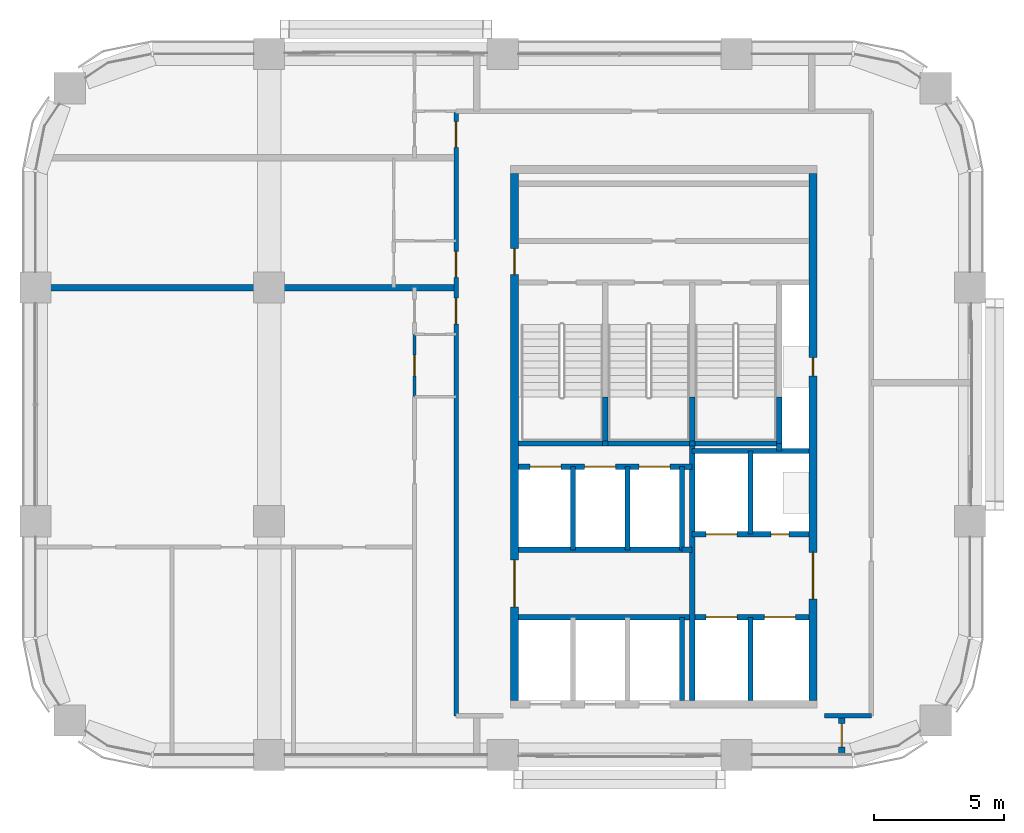
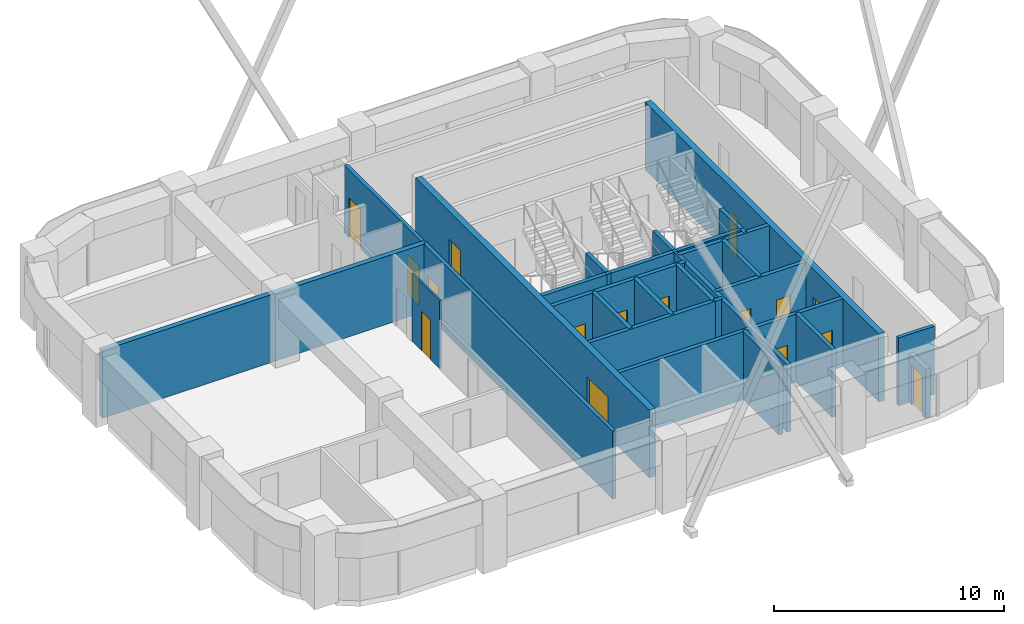
# One storey, part 7 of 10: 29 walls, 16 doors, 16 openings.
"""IFC4 building model written with IfcOpenShell, lengths in metres."""

import ifcopenshell
import ifcopenshell.guid

model = None  # the IFC model being written
_history = None  # IfcOwnerHistory: only IFC2X3 demands one
_inside = {}  # id of a spatial element -> (the spatial element, [elements in it])
_under = {}  # id of a project, library or spatial element -> (it, [spatial elements below it])
_declared = {}  # id of a project -> (the project, [libraries it declares])
_typed = {}  # id of a type object -> (the type object, [elements of that type])
_made_of = {}  # id of a material, layer set ... -> (it, [elements and type objects made of it])


def new_model(schema):
    """Start an empty IFC model of exactly this schema.

    Asked for "IFC4X3", IfcOpenShell would pick the latest addendum, in which some entities
    have other attributes; the version numbers below select the first issue.
    IFC2X3 requires an IfcOwnerHistory on every rooted entity: one is made here for all.
    """
    global model, _history
    if schema == "IFC4X3":
        model = ifcopenshell.file(schema_version=(4, 3, 0, 0))
    else:
        model = ifcopenshell.file(schema=schema)
    _inside.clear()
    _under.clear()
    _declared.clear()
    _typed.clear()
    _made_of.clear()
    _history = None
    if model.schema == "IFC2X3":
        org = make("IfcOrganization", Name="unknown")
        user = make(
            "IfcPersonAndOrganization",
            ThePerson=make("IfcPerson", FamilyName="unknown"),
            TheOrganization=org,
        )
        app = make(
            "IfcApplication",
            ApplicationDeveloper=org,
            Version="unknown",
            ApplicationFullName="unknown",
            ApplicationIdentifier="unknown",
        )
        _history = make(
            "IfcOwnerHistory",
            OwningUser=user,
            OwningApplication=app,
            ChangeAction="ADDED",
            CreationDate=0,
        )
    return model


def make(cls, **values):
    """One entity of the class cls with the attributes given. An attribute that is None is left unset."""
    return model.create_entity(
        cls, **{name: value for name, value in values.items() if value is not None}
    )


def rooted(cls, **values):
    """An entity with a GlobalId (a new one), such as an element, a storey or a relation."""
    return make(cls, GlobalId=ifcopenshell.guid.new(), OwnerHistory=_history, **values)


def si_unit(unit_type, name, prefix=None):
    """IfcSIUnit, for example si_unit("LENGTHUNIT", "METRE", prefix="MILLI")."""
    return make("IfcSIUnit", UnitType=unit_type, Prefix=prefix, Name=name)


def assignment(units):
    """IfcUnitAssignment: the units of a project."""
    return None if units is None else make("IfcUnitAssignment", Units=units)


def point(xyz):
    """IfcCartesianPoint."""
    return None if xyz is None else make("IfcCartesianPoint", Coordinates=xyz)


def direction(xyz):
    """IfcDirection."""
    return None if xyz is None else make("IfcDirection", DirectionRatios=xyz)


def frame(location, z_axis=None, x_axis=None):
    """IfcAxis2Placement3D, a coordinate frame: its origin and axes. An axis left out is left unset."""
    return make(
        "IfcAxis2Placement3D",
        Location=point(location),
        Axis=direction(z_axis),
        RefDirection=direction(x_axis),
    )


def frame_2d(location, x_axis=None):
    """IfcAxis2Placement2D, a coordinate frame in the plane: its origin and x axis."""
    return make(
        "IfcAxis2Placement2D", Location=point(location), RefDirection=direction(x_axis)
    )


def origin():
    """The frame at (0, 0, 0) with its axes left unset."""
    return frame((0.0, 0.0, 0.0))


def place(relative_to, where):
    """IfcLocalPlacement: puts the frame where relative to a parent placement (None: the world)."""
    return make(
        "IfcLocalPlacement", PlacementRelTo=relative_to, RelativePlacement=where
    )


def context(
    kind, dimensions, precision=None, world=None, true_north=None, identifier=None
):
    """IfcGeometricRepresentationContext, for example the 3D "Model" context."""
    return make(
        "IfcGeometricRepresentationContext",
        ContextIdentifier=identifier,
        ContextType=kind,
        CoordinateSpaceDimension=dimensions,
        Precision=precision,
        WorldCoordinateSystem=world,
        TrueNorth=true_north,
    )


def subcontext(parent, identifier, kind, view, scale=None):
    """IfcGeometricRepresentationSubContext, for example "Body" below "Model"."""
    return make(
        "IfcGeometricRepresentationSubContext",
        ContextIdentifier=identifier,
        ContextType=kind,
        ParentContext=parent,
        TargetScale=scale,
        TargetView=view,
    )


def project(units=None, contexts=None):
    """IfcProject with its units and contexts."""
    return rooted(
        "IfcProject",
        Name="project",
        RepresentationContexts=contexts,
        UnitsInContext=assignment(units),
    )


def spatial(cls, under=None, at=None, **own):
    """A site, building, storey or space (cls), placed at a placement, below another one or the project."""
    s = rooted(cls, ObjectPlacement=at, **own)
    if under is not None:
        _under.setdefault(under.id(), (under, []))[1].append(s)
    return s


def profile(cls, at=None, kind="AREA", **sizes):
    """A parametric profile (cls). Its sizes go by their IFC names, for example OverallWidth=200.0."""
    return make(cls, ProfileType=kind, Position=at, **sizes)


def rectangle(**sizes):
    """IfcRectangleProfileDef."""
    return profile("IfcRectangleProfileDef", **sizes)


def extrude(swept, where, along, depth):
    """IfcExtrudedAreaSolid: the profile swept, set in the frame where, extruded along a direction by depth."""
    return make(
        "IfcExtrudedAreaSolid",
        SweptArea=swept,
        Position=where,
        ExtrudedDirection=direction(along),
        Depth=depth,
    )


def shape(context_of_items, identifier, shape_type, items):
    """IfcShapeRepresentation: the items that make up one representation, for example the "Body"."""
    return make(
        "IfcShapeRepresentation",
        ContextOfItems=context_of_items,
        RepresentationIdentifier=identifier,
        RepresentationType=shape_type,
        Items=items,
    )


def material(Name=None, Category=None):
    """IfcMaterial."""
    return make("IfcMaterial", Name=Name, Category=Category)


def layer(
    of_material, thickness, ventilated=None, Name=None, Category=None, Priority=None
):
    """IfcMaterialLayer: one layer of a wall or slab, of a material (None: an air gap)."""
    return make(
        "IfcMaterialLayer",
        Material=of_material,
        LayerThickness=thickness,
        IsVentilated=ventilated,
        Name=Name,
        Category=Category,
        Priority=Priority,
    )


def layer_set(layers, Name=None):
    """IfcMaterialLayerSet."""
    return make("IfcMaterialLayerSet", MaterialLayers=layers, LayerSetName=Name)


def made_of(thing, what):
    """Note that an element or type object is made of a material, layer set ...; save() writes the relation."""
    if what is not None:
        _made_of.setdefault(what.id(), (what, []))[1].append(thing)
    return thing


def type_object(cls, material=None, **own):
    """A type object (cls), such as IfcWallType, which elements share."""
    return made_of(rooted(cls, **own), material)


def element(
    cls,
    number,
    at=None,
    inside=None,
    cuts=None,
    type_object=None,
    material=None,
    context=None,
    identifier="Body",
    shape_type=None,
    held_by="IfcProductDefinitionShape",
    body=None,
    shapes=None,
    **own,
):
    """One element of the class cls, such as IfcWall. Its Tag is "e" and its number.

    at: its placement. inside: the storey or other place that contains it. cuts: it is an
    opening in that element (IfcRelVoidsElement). A single representation is given by context,
    identifier, shape_type and body (its items); several are given by shapes. held_by: the class
    of the entity that holds the representations. save() writes the other relations.
    """
    e = rooted(cls, Tag="e%d" % number, ObjectPlacement=at, **own)
    if body is not None:
        shapes = [shape(context, identifier, shape_type, body)]
    if shapes is not None:
        e.Representation = make(held_by, Representations=shapes)
    if inside is not None:
        _inside.setdefault(inside.id(), (inside, []))[1].append(e)
    if cuts is not None:
        rooted(
            "IfcRelVoidsElement", RelatingBuildingElement=cuts, RelatedOpeningElement=e
        )
    if type_object is not None:
        _typed.setdefault(type_object.id(), (type_object, []))[1].append(e)
    return made_of(e, material)


def fill(opening, filler):
    """IfcRelFillsElement: the door or window that sits in an opening."""
    return rooted(
        "IfcRelFillsElement",
        RelatingOpeningElement=opening,
        RelatedBuildingElement=filler,
    )


def aggregate(whole, parts):
    """IfcRelAggregates: a whole, such as a stair, and the parts it consists of."""
    return rooted("IfcRelAggregates", RelatingObject=whole, RelatedObjects=parts)


def save(model, path):
    """Write the relations noted so far, then the file.

    IfcRelAggregates (storeys below a building ...), IfcRelContainedInSpatialStructure (elements
    in a storey), IfcRelDefinesByType, IfcRelAssociatesMaterial and IfcRelDeclares: one each for
    every whole, place, type object, material and project.
    """
    for whole, parts in _under.values():
        aggregate(whole, parts)
    for where, things in _inside.values():
        rooted(
            "IfcRelContainedInSpatialStructure",
            RelatedElements=things,
            RelatingStructure=where,
        )
    for kind, things in _typed.values():
        rooted("IfcRelDefinesByType", RelatedObjects=things, RelatingType=kind)
    for what, things in _made_of.values():
        rooted("IfcRelAssociatesMaterial", RelatedObjects=things, RelatingMaterial=what)
    for by, libraries in _declared.values():
        rooted("IfcRelDeclares", RelatingContext=by, RelatedDefinitions=libraries)
    model.write(path)


model = new_model("IFC4")

# Units and contexts
model_context = context("Model", 3, precision=1e-05, world=origin(), true_north=direction((0.0, 1.0)))
body_context = subcontext(model_context, "Body", "Model", "MODEL_VIEW")
ifc_project = project(units=[si_unit("LENGTHUNIT", "METRE"), si_unit("AREAUNIT", "SQUARE_METRE"), si_unit("VOLUMEUNIT", "CUBIC_METRE"), si_unit("PLANEANGLEUNIT", "RADIAN"), si_unit("MASSUNIT", "GRAM", prefix="KILO")], contexts=[model_context])

# Site, building, storey
site_placement = place(None, origin())
site = spatial("IfcSite", under=ifc_project, at=site_placement, CompositionType="ELEMENT")
building_placement = place(site_placement, origin())
building = spatial("IfcBuilding", under=site, at=building_placement, Name="Tessera Arch", CompositionType="ELEMENT")
storey_placement = place(building_placement, frame((0.0, 0.0, 301.199951171875)))
storey = spatial("IfcBuildingStorey", under=building, at=storey_placement, Name="L72", CompositionType="ELEMENT", Elevation=301.199951171875)

# Wall
ifc_material_1 = material(Name="Gypsum board on steel stud", Category="steel")
ifc_layer_1 = layer(ifc_material_1, 0.125)
ifc_layer_set_1 = layer_set([ifc_layer_1], Name="Core partition 125 EI 60")
wall_type_1 = type_object("IfcWallType", Name="Core partition 125 EI 60", PredefinedType="PARTITIONING", material=ifc_layer_set_1)
wall_1_placement = place(storey_placement, frame((42.89990234375, 34.89990234375, 0.0), z_axis=(0.0, 0.0, 1.0), x_axis=(1.0, 0.0, 0.0)))
element("IfcWall", 1, at=wall_1_placement, inside=storey, type_object=wall_type_1, Name="L72 C1 partition wall 18", PredefinedType="PARTITIONING", context=body_context, shape_type="SweptSolid", body=[
    extrude(rectangle(XDim=0.400146484375, YDim=0.199951171875, at=frame_2d((0.2001953125, 0.0))), origin(), (0.0, 0.0, 1.0), 3.60009765625),
])

# Wall, openings, doors
ifc_material_2 = material(Name="Concrete C50/60", Category="concrete")
ifc_layer_2 = layer(ifc_material_2, 0.300048828125)
ifc_layer_set_2 = layer_set([ifc_layer_2], Name="Core shell wall 300 C50-60")
wall_type_2 = type_object("IfcWallType", Name="Core shell wall 300 C50-60", PredefinedType="SHEAR", material=ifc_layer_set_2)
wall_2_placement = place(storey_placement, frame((36.449951171875, 29.10009765625, 0.0), z_axis=(0.0, 0.0, 1.0), x_axis=(0.0, 1.0, 0.0)))
wall_2 = element("IfcWall", 2, at=wall_2_placement, inside=storey, type_object=wall_type_2, Name="L72 C1 core wall W", PredefinedType="SHEAR", context=body_context, shape_type="SweptSolid", body=[
    extrude(rectangle(XDim=20.2998046875, YDim=0.300048828125, at=frame_2d((10.14990234375, 0.0))), origin(), (0.0, 0.0, 1.0), 3.60009765625),
])
opening_1_placement = place(wall_2_placement, frame((3.60009765625, 0.0, 0.0)))
opening_1 = element("IfcOpeningElement", 3, at=opening_1_placement, cuts=wall_2, Name="Opening L72-C10", PredefinedType="OPENING", context=body_context, shape_type="SweptSolid", body=[
    extrude(rectangle(XDim=1.800048828125, YDim=2.10009765625, at=frame_2d((0.89990234375, 1.050048828125))), frame((0.0, 0.159912109375, 0.0), z_axis=(0.0, -1.0, 0.0), x_axis=(1.0, 0.0, 0.0)), (0.0, 0.0, 1.0), 0.320068359375),
])
opening_2_placement = place(wall_2_placement, frame((16.39990234375, 0.0, 0.0)))
opening_2 = element("IfcOpeningElement", 4, at=opening_2_placement, cuts=wall_2, Name="Opening L72-C17", PredefinedType="OPENING", context=body_context, shape_type="SweptSolid", body=[
    extrude(rectangle(XDim=1.0, YDim=2.10009765625, at=frame_2d((0.5, 1.050048828125))), frame((0.0, 0.159912109375, 0.0), z_axis=(0.0, -1.0, 0.0), x_axis=(1.0, 0.0, 0.0)), (0.0, 0.0, 1.0), 0.320068359375),
])
ifc_material_3 = material(Name="Steel door leaf", Category="steel")
door_type_1 = type_object("IfcDoorType", Name="Corridor door FD60 1000 x 2100", OperationType="SINGLE_SWING_LEFT", PredefinedType="DOOR", material=ifc_material_3)
door_1_placement = place(opening_2_placement, origin())
door_1 = element("IfcDoor", 5, at=door_1_placement, inside=storey, type_object=door_type_1, Name="L72 C1 door 17 C17 type D12", OperationType="SINGLE_SWING_RIGHT", OverallHeight=2.10009765625, OverallWidth=1.0, PredefinedType="DOOR", context=body_context, shape_type="SweptSolid", body=[
    extrude(rectangle(XDim=1.0, YDim=2.10009765625, at=frame_2d((0.5, 1.050048828125))), frame((0.0, 0.02490234375, 0.0), z_axis=(0.0, -1.0, 0.0), x_axis=(1.0, 0.0, 0.0)), (0.0, 0.0, 1.0), 0.050048828125),
])
fill(opening_2, door_1)
ifc_material_4 = material(Name="Glazed steel door leaf", Category="steel")
door_type_2 = type_object("IfcDoorType", Name="Lobby double door FD30S 1800 x 2100", OperationType="DOUBLE_DOOR_SINGLE_SWING", PredefinedType="DOOR", material=ifc_material_4)
door_2_placement = place(opening_1_placement, origin())
door_2 = element("IfcDoor", 6, at=door_2_placement, inside=storey, type_object=door_type_2, Name="L72 C1 door 10 C10 type D06", OperationType="DOUBLE_DOOR_SINGLE_SWING", OverallHeight=2.10009765625, OverallWidth=1.800048828125, PredefinedType="DOOR", context=body_context, shape_type="SweptSolid", body=[
    extrude(rectangle(XDim=1.800048828125, YDim=2.10009765625, at=frame_2d((0.89990234375, 1.050048828125))), frame((0.0, 0.02490234375, 0.0), z_axis=(0.0, -1.0, 0.0), x_axis=(1.0, 0.0, 0.0)), (0.0, 0.0, 1.0), 0.050048828125),
])
fill(opening_1, door_2)

wall_3_placement = place(storey_placement, frame((47.949951171875, 29.10009765625, 0.0), z_axis=(0.0, 0.0, 1.0), x_axis=(0.0, 1.0, 0.0)))
wall_3 = element("IfcWall", 7, at=wall_3_placement, inside=storey, type_object=wall_type_2, Name="L72 C1 core wall E", PredefinedType="SHEAR", context=body_context, shape_type="SweptSolid", body=[
    extrude(rectangle(XDim=20.2998046875, YDim=0.300048828125, at=frame_2d((10.14990234375, 0.0))), origin(), (0.0, 0.0, 1.0), 3.60009765625),
])
opening_3_placement = place(wall_3_placement, frame((12.5, 0.0, 0.0)))
opening_3 = element("IfcOpeningElement", 8, at=opening_3_placement, cuts=wall_3, Name="Opening L72-C14", PredefinedType="OPENING", context=body_context, shape_type="SweptSolid", body=[
    extrude(rectangle(XDim=0.699951171875, YDim=2.10009765625, at=frame_2d((0.35009765625, 1.050048828125))), frame((0.0, 0.159912109375, 0.0), z_axis=(0.0, -1.0, 0.0), x_axis=(1.0, 0.0, 0.0)), (0.0, 0.0, 1.0), 0.320068359375),
])
opening_4_placement = place(wall_3_placement, frame((3.89990234375, 0.0, 0.0)))
opening_4 = element("IfcOpeningElement", 9, at=opening_4_placement, cuts=wall_3, Name="Opening L72-C15", PredefinedType="OPENING", context=body_context, shape_type="SweptSolid", body=[
    extrude(rectangle(XDim=1.800048828125, YDim=2.10009765625, at=frame_2d((0.89990234375, 1.050048828125))), frame((0.0, 0.159912109375, 0.0), z_axis=(0.0, -1.0, 0.0), x_axis=(1.0, 0.0, 0.0)), (0.0, 0.0, 1.0), 0.320068359375),
])
ifc_material_5 = material(Name="Glazed steel door leaf", Category="steel")
door_type_3 = type_object("IfcDoorType", Name="Lobby double door FD60 1800 x 2100", OperationType="DOUBLE_DOOR_SINGLE_SWING", PredefinedType="DOOR", material=ifc_material_5)
door_3_placement = place(opening_4_placement, origin())
door_3 = element("IfcDoor", 10, at=door_3_placement, inside=storey, type_object=door_type_3, Name="L72 C1 door 15 C15 type D19", OperationType="DOUBLE_DOOR_SINGLE_SWING", OverallHeight=2.10009765625, OverallWidth=1.800048828125, PredefinedType="DOOR", context=body_context, shape_type="SweptSolid", body=[
    extrude(rectangle(XDim=1.800048828125, YDim=2.10009765625, at=frame_2d((0.89990234375, 1.050048828125))), frame((0.0, 0.02490234375, 0.0), z_axis=(0.0, -1.0, 0.0), x_axis=(1.0, 0.0, 0.0)), (0.0, 0.0, 1.0), 0.050048828125),
])
fill(opening_4, door_3)
ifc_material_6 = material(Name="Steel door leaf", Category="steel")
door_type_4 = type_object("IfcDoorType", Name="Service shaft door FD60 700 x 2100", OperationType="SINGLE_SWING_LEFT", PredefinedType="DOOR", material=ifc_material_6)
door_4_placement = place(opening_3_placement, origin())
door_4 = element("IfcDoor", 11, at=door_4_placement, inside=storey, type_object=door_type_4, Name="L72 C1 door 14 C14 type D07", OperationType="SINGLE_SWING_RIGHT", OverallHeight=2.10009765625, OverallWidth=0.699951171875, PredefinedType="DOOR", context=body_context, shape_type="SweptSolid", body=[
    extrude(rectangle(XDim=0.699951171875, YDim=2.10009765625, at=frame_2d((0.35009765625, 1.050048828125))), frame((0.0, 0.02490234375, 0.0), z_axis=(0.0, -1.0, 0.0), x_axis=(1.0, 0.0, 0.0)), (0.0, 0.0, 1.0), 0.050048828125),
])
fill(opening_3, door_4)

# Wall
ifc_material_7 = material(Name="Gypsum board on deep steel stud with mineral wool", Category="steel")
ifc_layer_3 = layer(ifc_material_7, 0.175048828125)
ifc_layer_set_3 = layer_set([ifc_layer_3], Name="Corridor wall 175 EI 60")
wall_type_3 = type_object("IfcWallType", Name="Corridor wall 175 EI 60", PredefinedType="PARTITIONING", material=ifc_layer_set_3)
wall_4_placement = place(storey_placement, frame((48.39990234375, 28.5, 0.0), z_axis=(0.0, 0.0, 1.0), x_axis=(1.0, 0.0, 0.0)))
element("IfcWall", 12, at=wall_4_placement, inside=storey, type_object=wall_type_3, Name="L72 partition 2", PredefinedType="PARTITIONING", context=body_context, shape_type="SweptSolid", body=[
    extrude(rectangle(XDim=1.800048828125, YDim=0.175048828125, at=frame_2d((0.89990234375, 0.0))), origin(), (0.0, 0.0, 1.0), 3.60009765625),
])

# Wall, openings, doors
wall_5_placement = place(storey_placement, frame((34.199951171875, 28.5, 0.0), z_axis=(0.0, 0.0, 1.0), x_axis=(0.0, 1.0, 0.0)))
wall_5 = element("IfcWall", 13, at=wall_5_placement, inside=storey, type_object=wall_type_3, Name="L72 partition 4", PredefinedType="PARTITIONING", context=body_context, shape_type="SweptSolid", body=[
    extrude(rectangle(XDim=23.300048828125, YDim=0.175048828125, at=frame_2d((11.64990234375, 0.0))), origin(), (0.0, 0.0, 1.0), 3.60009765625),
])
opening_5_placement = place(wall_5_placement, frame((15.10009765625, 0.0, 0.0)))
opening_5 = element("IfcOpeningElement", 14, at=opening_5_placement, cuts=wall_5, Name="Opening L72-D002", PredefinedType="OPENING", context=body_context, shape_type="SweptSolid", body=[
    extrude(rectangle(XDim=1.0, YDim=2.10009765625, at=frame_2d((0.5, 1.050048828125))), frame((0.0, 0.097412109375, 0.0), z_axis=(0.0, -1.0, 0.0), x_axis=(1.0, 0.0, 0.0)), (0.0, 0.0, 1.0), 0.195068359375),
])
opening_6_placement = place(wall_5_placement, frame((16.89990234375, 0.0, 0.0)))
opening_6 = element("IfcOpeningElement", 15, at=opening_6_placement, cuts=wall_5, Name="Opening L72-D010", PredefinedType="OPENING", context=body_context, shape_type="SweptSolid", body=[
    extrude(rectangle(XDim=1.0, YDim=2.10009765625, at=frame_2d((0.5, 1.050048828125))), frame((0.0, 0.097412109375, 0.0), z_axis=(0.0, -1.0, 0.0), x_axis=(1.0, 0.0, 0.0)), (0.0, 0.0, 1.0), 0.195068359375),
])
opening_7_placement = place(wall_5_placement, frame((21.89990234375, 0.0, 0.0)))
opening_7 = element("IfcOpeningElement", 16, at=opening_7_placement, cuts=wall_5, Name="Opening L72-D015", PredefinedType="OPENING", context=body_context, shape_type="SweptSolid", body=[
    extrude(rectangle(XDim=1.0, YDim=2.10009765625, at=frame_2d((0.5, 1.050048828125))), frame((0.0, 0.097412109375, 0.0), z_axis=(0.0, -1.0, 0.0), x_axis=(1.0, 0.0, 0.0)), (0.0, 0.0, 1.0), 0.195068359375),
])
ifc_material_8 = material(Name="Fire-rated door leaf")
door_type_5 = type_object("IfcDoorType", Name="Entrance door FD30S 1000 x 2100", OperationType="SINGLE_SWING_LEFT", PredefinedType="DOOR", material=ifc_material_8)
door_5_placement = place(opening_5_placement, origin())
door_5 = element("IfcDoor", 17, at=door_5_placement, inside=storey, type_object=door_type_5, Name="L72 door D002 type D03", OperationType="SINGLE_SWING_LEFT", OverallHeight=2.10009765625, OverallWidth=1.0, PredefinedType="DOOR", context=body_context, shape_type="SweptSolid", body=[
    extrude(rectangle(XDim=1.0, YDim=2.10009765625, at=frame_2d((0.5, 1.050048828125))), frame((0.0, 0.02490234375, 0.0), z_axis=(0.0, -1.0, 0.0), x_axis=(1.0, 0.0, 0.0)), (0.0, 0.0, 1.0), 0.050048828125),
])
fill(opening_5, door_5)
door_6_placement = place(opening_6_placement, origin())
door_6 = element("IfcDoor", 18, at=door_6_placement, inside=storey, type_object=door_type_5, Name="L72 door D010 type D03", OperationType="SINGLE_SWING_RIGHT", OverallHeight=2.10009765625, OverallWidth=1.0, PredefinedType="DOOR", context=body_context, shape_type="SweptSolid", body=[
    extrude(rectangle(XDim=1.0, YDim=2.10009765625, at=frame_2d((0.5, 1.050048828125))), frame((0.0, 0.02490234375, 0.0), z_axis=(0.0, -1.0, 0.0), x_axis=(1.0, 0.0, 0.0)), (0.0, 0.0, 1.0), 0.050048828125),
])
fill(opening_6, door_6)
door_7_placement = place(opening_7_placement, origin())
door_7 = element("IfcDoor", 19, at=door_7_placement, inside=storey, type_object=door_type_5, Name="L72 door D015 type D03", OperationType="SINGLE_SWING_RIGHT", OverallHeight=2.10009765625, OverallWidth=1.0, PredefinedType="DOOR", context=body_context, shape_type="SweptSolid", body=[
    extrude(rectangle(XDim=1.0, YDim=2.10009765625, at=frame_2d((0.5, 1.050048828125))), frame((0.0, 0.02490234375, 0.0), z_axis=(0.0, -1.0, 0.0), x_axis=(1.0, 0.0, 0.0)), (0.0, 0.0, 1.0), 0.050048828125),
])
fill(opening_7, door_7)

# Wall
ifc_material_9 = material(Name="Double gypsum board on twin steel stud with acoustic mineral wool", Category="steel")
ifc_layer_4 = layer(ifc_material_9, 0.25)
ifc_layer_set_4 = layer_set([ifc_layer_4], Name="Party wall 250 EI 60")
wall_type_4 = type_object("IfcWallType", Name="Party wall 250 EI 60", PredefinedType="PARTITIONING", material=ifc_layer_set_4)
wall_6_placement = place(storey_placement, frame((18.0, 45.0, 0.0), z_axis=(0.0, 0.0, 1.0), x_axis=(1.0, 0.0, 0.0)))
element("IfcWall", 20, at=wall_6_placement, inside=storey, type_object=wall_type_4, Name="L72 partition 14", PredefinedType="PARTITIONING", context=body_context, shape_type="SweptSolid", body=[
    extrude(rectangle(XDim=16.199951171875, YDim=0.25, at=frame_2d((8.10009765625, 0.0))), origin(), (0.0, 0.0, 1.0), 3.60009765625),
])

# Wall, opening, door
wall_7_placement = place(storey_placement, frame((49.056884765625, 27.0, 0.0), z_axis=(0.0, 0.0, 1.0), x_axis=(0.0, 1.0, 0.0)))
wall_7 = element("IfcWall", 21, at=wall_7_placement, inside=storey, type_object=wall_type_4, Name="L72 partition 19", PredefinedType="PARTITIONING", context=body_context, shape_type="SweptSolid", body=[
    extrude(rectangle(XDim=1.5, YDim=0.25, at=frame_2d((0.75, 0.0))), origin(), (0.0, 0.0, 1.0), 2.60009765625),
])
opening_8_placement = place(wall_7_placement, frame((0.300048828125, 0.0, 0.0)))
opening_8 = element("IfcOpeningElement", 22, at=opening_8_placement, cuts=wall_7, Name="Opening L72-D020", PredefinedType="OPENING", context=body_context, shape_type="SweptSolid", body=[
    extrude(rectangle(XDim=0.89990234375, YDim=2.10009765625, at=frame_2d((0.449951171875, 1.050048828125))), frame((0.0, 0.135009765625, 0.0), z_axis=(0.0, -1.0, 0.0), x_axis=(1.0, 0.0, 0.0)), (0.0, 0.0, 1.0), 0.27001953125),
])
ifc_material_10 = material(Name="Timber door leaf", Category="wood")
door_type_6 = type_object("IfcDoorType", Name="Room door 900 x 2100", OperationType="SINGLE_SWING_LEFT", PredefinedType="DOOR", material=ifc_material_10)
door_8_placement = place(opening_8_placement, origin())
door_8 = element("IfcDoor", 23, at=door_8_placement, inside=storey, type_object=door_type_6, Name="L72 door D020 type D01", OperationType="SINGLE_SWING_RIGHT", OverallHeight=2.10009765625, OverallWidth=0.89990234375, PredefinedType="DOOR", context=body_context, shape_type="SweptSolid", body=[
    extrude(rectangle(XDim=0.89990234375, YDim=2.10009765625, at=frame_2d((0.449951171875, 1.050048828125))), frame((0.0, 0.02490234375, 0.0), z_axis=(0.0, -1.0, 0.0), x_axis=(1.0, 0.0, 0.0)), (0.0, 0.0, 1.0), 0.050048828125),
])
fill(opening_8, door_8)

# Walls
ifc_material_11 = material(Name="Concrete C40/50", Category="concrete")
ifc_layer_5 = layer(ifc_material_11, 0.199951171875)
ifc_layer_set_5 = layer_set([ifc_layer_5], Name="Shaft wall 200 EI 120")
wall_type_5 = type_object("IfcWallType", Name="Shaft wall 200 EI 120", PredefinedType="SOLIDWALL", material=ifc_layer_set_5)
for number, where, z_axis, x_axis, name in (
    (24, (38.699951171875, 34.89990234375, 0.0), (0.0, 0.0, 1.0), (0.0, 1.0, 0.0), "L72 C1 shaft wall 2"),
    (25, (40.800048828125, 34.89990234375, 0.0), (0.0, 0.0, 1.0), (0.0, 1.0, 0.0), "L72 C1 shaft wall 6"),
):
    element("IfcWall", number, at=place(storey_placement, frame(where, z_axis=z_axis, x_axis=x_axis)), inside=storey, type_object=wall_type_5, Name=name, PredefinedType="SOLIDWALL", context=body_context, shape_type="SweptSolid", body=[
        extrude(rectangle(XDim=3.2001953125, YDim=0.199951171875, at=frame_2d((1.60009765625, 0.0))), origin(), (0.0, 0.0, 1.0), 3.60009765625),
    ])
wall_8_placement = place(storey_placement, frame((42.89990234375, 29.10009765625, 0.0), z_axis=(0.0, 0.0, 1.0), x_axis=(0.0, 1.0, 0.0)))
element("IfcWall", 26, at=wall_8_placement, inside=storey, type_object=wall_type_5, Name="L72 C1 shaft wall 7", PredefinedType="SOLIDWALL", context=body_context, shape_type="SweptSolid", body=[
    extrude(rectangle(XDim=3.199951171875, YDim=0.199951171875, at=frame_2d((1.60009765625, 0.0))), origin(), (0.0, 0.0, 1.0), 3.60009765625),
])
wall_9_placement = place(storey_placement, frame((42.89990234375, 34.89990234375, 0.0), z_axis=(0.0, 0.0, 1.0), x_axis=(0.0, 1.0, 0.0)))
element("IfcWall", 27, at=wall_9_placement, inside=storey, type_object=wall_type_5, Name="L72 C1 shaft wall 8", PredefinedType="SOLIDWALL", context=body_context, shape_type="SweptSolid", body=[
    extrude(rectangle(XDim=3.2001953125, YDim=0.199951171875, at=frame_2d((1.60009765625, 0.0))), origin(), (0.0, 0.0, 1.0), 3.60009765625),
])
wall_10_placement = place(storey_placement, frame((43.300048828125, 29.10009765625, 0.0), z_axis=(0.0, 0.0, 1.0), x_axis=(0.0, 1.0, 0.0)))
element("IfcWall", 28, at=wall_10_placement, inside=storey, type_object=wall_type_5, Name="L72 C1 shaft wall 9", PredefinedType="SOLIDWALL", context=body_context, shape_type="SweptSolid", body=[
    extrude(rectangle(XDim=9.89990234375, YDim=0.199951171875, at=frame_2d((4.949951171875, 0.0))), origin(), (0.0, 0.0, 1.0), 3.60009765625),
])
for number, where, z_axis, x_axis, name in (
    (29, (45.550048828125, 29.10009765625, 0.0), (0.0, 0.0, 1.0), (0.0, 1.0, 0.0), "L72 C1 shaft wall 12"),
    (30, (45.550048828125, 35.5, 0.0), (0.0, 0.0, 1.0), (0.0, 1.0, 0.0), "L72 C1 shaft wall 13"),
):
    element("IfcWall", number, at=place(storey_placement, frame(where, z_axis=z_axis, x_axis=x_axis)), inside=storey, type_object=wall_type_5, Name=name, PredefinedType="SOLIDWALL", context=body_context, shape_type="SweptSolid", body=[
        extrude(rectangle(XDim=3.199951171875, YDim=0.199951171875, at=frame_2d((1.60009765625, 0.0))), origin(), (0.0, 0.0, 1.0), 3.60009765625),
    ])
wall_11_placement = place(storey_placement, frame((46.64990234375, 38.699951171875, 0.0), z_axis=(0.0, 0.0, 1.0), x_axis=(0.0, 1.0, 0.0)))
element("IfcWall", 31, at=wall_11_placement, inside=storey, type_object=wall_type_5, Name="L72 C1 shaft wall 14", PredefinedType="SOLIDWALL", context=body_context, shape_type="SweptSolid", body=[
    extrude(rectangle(XDim=0.300048828125, YDim=0.199951171875, at=frame_2d((0.14990234375, 0.0))), origin(), (0.0, 0.0, 1.0), 3.60009765625),
])

# Wall, openings, doors
wall_12_placement = place(storey_placement, frame((36.60009765625, 32.300048828125, 0.0), z_axis=(0.0, 0.0, 1.0), x_axis=(1.0, 0.0, 0.0)))
wall_12 = element("IfcWall", 32, at=wall_12_placement, inside=storey, type_object=wall_type_5, Name="L72 C1 shaft wall 17", PredefinedType="SOLIDWALL", context=body_context, shape_type="SweptSolid", body=[
    extrude(rectangle(XDim=11.199951171875, YDim=0.199951171875, at=frame_2d((5.60009765625, 0.0))), origin(), (0.0, 0.0, 1.0), 3.60009765625),
])
opening_9_placement = place(wall_12_placement, frame((7.22509765625, 0.0, 0.0)))
opening_9 = element("IfcOpeningElement", 33, at=opening_9_placement, cuts=wall_12, Name="Opening L72-C07", PredefinedType="OPENING", context=body_context, shape_type="SweptSolid", body=[
    extrude(rectangle(XDim=1.199951171875, YDim=2.10009765625, at=frame_2d((0.60009765625, 1.050048828125))), frame((0.0, 0.10986328125, 0.0), z_axis=(0.0, -1.0, 0.0), x_axis=(1.0, 0.0, 0.0)), (0.0, 0.0, 1.0), 0.219970703125),
])
opening_10_placement = place(wall_12_placement, frame((9.47509765625, 0.0, 0.0)))
opening_10 = element("IfcOpeningElement", 34, at=opening_10_placement, cuts=wall_12, Name="Opening L72-C08", PredefinedType="OPENING", context=body_context, shape_type="SweptSolid", body=[
    extrude(rectangle(XDim=1.199951171875, YDim=2.10009765625, at=frame_2d((0.60009765625, 1.050048828125))), frame((0.0, 0.10986328125, 0.0), z_axis=(0.0, -1.0, 0.0), x_axis=(1.0, 0.0, 0.0)), (0.0, 0.0, 1.0), 0.219970703125),
])
ifc_material_12 = material(Name="Stainless steel AISI 304", Category="steel")
door_type_7 = type_object("IfcDoorType", Name="Sliding landing door 1200 x 2100", OperationType="SLIDING_TO_LEFT", PredefinedType="DOOR", material=ifc_material_12)
door_9_placement = place(opening_9_placement, origin())
door_9 = element("IfcDoor", 35, at=door_9_placement, inside=storey, type_object=door_type_7, Name="L72 FF1 lift landing door C07 type LD", OperationType="SLIDING_TO_LEFT", OverallHeight=2.10009765625, OverallWidth=1.199951171875, PredefinedType="DOOR", context=body_context, shape_type="SweptSolid", body=[
    extrude(rectangle(XDim=1.199951171875, YDim=2.10009765625, at=frame_2d((0.60009765625, 1.050048828125))), frame((0.0, 0.02490234375, 0.0), z_axis=(0.0, -1.0, 0.0), x_axis=(1.0, 0.0, 0.0)), (0.0, 0.0, 1.0), 0.050048828125),
])
fill(opening_9, door_9)
door_10_placement = place(opening_10_placement, origin())
door_10 = element("IfcDoor", 36, at=door_10_placement, inside=storey, type_object=door_type_7, Name="L72 FF2 lift landing door C08 type LD", OperationType="SLIDING_TO_LEFT", OverallHeight=2.10009765625, OverallWidth=1.199951171875, PredefinedType="DOOR", context=body_context, shape_type="SweptSolid", body=[
    extrude(rectangle(XDim=1.199951171875, YDim=2.10009765625, at=frame_2d((0.60009765625, 1.050048828125))), frame((0.0, 0.02490234375, 0.0), z_axis=(0.0, -1.0, 0.0), x_axis=(1.0, 0.0, 0.0)), (0.0, 0.0, 1.0), 0.050048828125),
])
fill(opening_10, door_10)

# Wall
wall_13_placement = place(storey_placement, frame((36.60009765625, 34.89990234375, 0.0), z_axis=(0.0, 0.0, 1.0), x_axis=(1.0, 0.0, 0.0)))
element("IfcWall", 37, at=wall_13_placement, inside=storey, type_object=wall_type_5, Name="L72 C1 shaft wall 19", PredefinedType="SOLIDWALL", context=body_context, shape_type="SweptSolid", body=[
    extrude(rectangle(XDim=6.2998046875, YDim=0.199951171875, at=frame_2d((3.14990234375, 0.0))), origin(), (0.0, 0.0, 1.0), 3.60009765625),
])

# Wall, openings, doors
wall_14_placement = place(storey_placement, frame((43.300048828125, 35.5, 0.0), z_axis=(0.0, 0.0, 1.0), x_axis=(1.0, 0.0, 0.0)))
wall_14 = element("IfcWall", 38, at=wall_14_placement, inside=storey, type_object=wall_type_5, Name="L72 C1 shaft wall 20", PredefinedType="SOLIDWALL", context=body_context, shape_type="SweptSolid", body=[
    extrude(rectangle(XDim=4.5, YDim=0.199951171875, at=frame_2d((2.25, 0.0))), origin(), (0.0, 0.0, 1.0), 3.60009765625),
])
opening_11_placement = place(wall_14_placement, frame((0.52490234375, 0.0, 0.0)))
opening_11 = element("IfcOpeningElement", 39, at=opening_11_placement, cuts=wall_14, Name="Opening L72-C09", PredefinedType="OPENING", context=body_context, shape_type="SweptSolid", body=[
    extrude(rectangle(XDim=1.199951171875, YDim=2.10009765625, at=frame_2d((0.60009765625, 1.050048828125))), frame((0.0, 0.10986328125, 0.0), z_axis=(0.0, -1.0, 0.0), x_axis=(1.0, 0.0, 0.0)), (0.0, 0.0, 1.0), 0.219970703125),
])
opening_12_placement = place(wall_14_placement, frame((3.02490234375, 0.0, 0.0)))
opening_12 = element("IfcOpeningElement", 40, at=opening_12_placement, cuts=wall_14, Name="Opening L72-C16", PredefinedType="OPENING", context=body_context, shape_type="SweptSolid", body=[
    extrude(rectangle(XDim=0.699951171875, YDim=2.10009765625, at=frame_2d((0.35009765625, 1.050048828125))), frame((0.0, 0.10986328125, 0.0), z_axis=(0.0, -1.0, 0.0), x_axis=(1.0, 0.0, 0.0)), (0.0, 0.0, 1.0), 0.219970703125),
])
door_11_placement = place(opening_12_placement, origin())
door_11 = element("IfcDoor", 41, at=door_11_placement, inside=storey, type_object=door_type_4, Name="L72 C1 door 16 C16 type D07", OperationType="SINGLE_SWING_RIGHT", OverallHeight=2.10009765625, OverallWidth=0.699951171875, PredefinedType="DOOR", context=body_context, shape_type="SweptSolid", body=[
    extrude(rectangle(XDim=0.699951171875, YDim=2.10009765625, at=frame_2d((0.35009765625, 1.050048828125))), frame((0.0, 0.02490234375, 0.0), z_axis=(0.0, -1.0, 0.0), x_axis=(1.0, 0.0, 0.0)), (0.0, 0.0, 1.0), 0.050048828125),
])
fill(opening_12, door_11)
door_12_placement = place(opening_11_placement, origin())
door_12 = element("IfcDoor", 42, at=door_12_placement, inside=storey, type_object=door_type_7, Name="L72 SV2 lift landing door C09 type LD", OperationType="SLIDING_TO_LEFT", OverallHeight=2.10009765625, OverallWidth=1.199951171875, PredefinedType="DOOR", context=body_context, shape_type="SweptSolid", body=[
    extrude(rectangle(XDim=1.199951171875, YDim=2.10009765625, at=frame_2d((0.60009765625, 1.050048828125))), frame((0.0, 0.02490234375, 0.0), z_axis=(0.0, -1.0, 0.0), x_axis=(1.0, 0.0, 0.0)), (0.0, 0.0, 1.0), 0.050048828125),
])
fill(opening_11, door_12)

wall_15_placement = place(storey_placement, frame((36.60009765625, 38.10009765625, 0.0), z_axis=(0.0, 0.0, 1.0), x_axis=(1.0, 0.0, 0.0)))
wall_15 = element("IfcWall", 43, at=wall_15_placement, inside=storey, type_object=wall_type_5, Name="L72 C1 shaft wall 21", PredefinedType="SOLIDWALL", context=body_context, shape_type="SweptSolid", body=[
    extrude(rectangle(XDim=6.699951171875, YDim=0.199951171875, at=frame_2d((3.35009765625, 0.0))), origin(), (0.0, 0.0, 1.0), 3.60009765625),
])
opening_13_placement = place(wall_15_placement, frame((0.449951171875, 0.0, 0.0)))
opening_13 = element("IfcOpeningElement", 44, at=opening_13_placement, cuts=wall_15, Name="Opening L72-C02", PredefinedType="OPENING", context=body_context, shape_type="SweptSolid", body=[
    extrude(rectangle(XDim=1.199951171875, YDim=2.10009765625, at=frame_2d((0.60009765625, 1.050048828125))), frame((0.0, 0.10986328125, 0.0), z_axis=(0.0, -1.0, 0.0), x_axis=(1.0, 0.0, 0.0)), (0.0, 0.0, 1.0), 0.219970703125),
])
opening_14_placement = place(wall_15_placement, frame((2.550048828125, 0.0, 0.0)))
opening_14 = element("IfcOpeningElement", 45, at=opening_14_placement, cuts=wall_15, Name="Opening L72-C04", PredefinedType="OPENING", context=body_context, shape_type="SweptSolid", body=[
    extrude(rectangle(XDim=1.199951171875, YDim=2.10009765625, at=frame_2d((0.60009765625, 1.050048828125))), frame((0.0, 0.10986328125, 0.0), z_axis=(0.0, -1.0, 0.0), x_axis=(1.0, 0.0, 0.0)), (0.0, 0.0, 1.0), 0.219970703125),
])
opening_15_placement = place(wall_15_placement, frame((4.64990234375, 0.0, 0.0)))
opening_15 = element("IfcOpeningElement", 46, at=opening_15_placement, cuts=wall_15, Name="Opening L72-C06", PredefinedType="OPENING", context=body_context, shape_type="SweptSolid", body=[
    extrude(rectangle(XDim=1.199951171875, YDim=2.10009765625, at=frame_2d((0.60009765625, 1.050048828125))), frame((0.0, 0.10986328125, 0.0), z_axis=(0.0, -1.0, 0.0), x_axis=(1.0, 0.0, 0.0)), (0.0, 0.0, 1.0), 0.219970703125),
])
door_13_placement = place(opening_13_placement, origin())
door_13 = element("IfcDoor", 47, at=door_13_placement, inside=storey, type_object=door_type_7, Name="L72 HR4 lift landing door C02 type LD", OperationType="SLIDING_TO_LEFT", OverallHeight=2.10009765625, OverallWidth=1.199951171875, PredefinedType="DOOR", context=body_context, shape_type="SweptSolid", body=[
    extrude(rectangle(XDim=1.199951171875, YDim=2.10009765625, at=frame_2d((0.60009765625, 1.050048828125))), frame((0.0, 0.02490234375, 0.0), z_axis=(0.0, -1.0, 0.0), x_axis=(1.0, 0.0, 0.0)), (0.0, 0.0, 1.0), 0.050048828125),
])
fill(opening_13, door_13)
door_14_placement = place(opening_14_placement, origin())
door_14 = element("IfcDoor", 48, at=door_14_placement, inside=storey, type_object=door_type_7, Name="L72 HR5 lift landing door C04 type LD", OperationType="SLIDING_TO_LEFT", OverallHeight=2.10009765625, OverallWidth=1.199951171875, PredefinedType="DOOR", context=body_context, shape_type="SweptSolid", body=[
    extrude(rectangle(XDim=1.199951171875, YDim=2.10009765625, at=frame_2d((0.60009765625, 1.050048828125))), frame((0.0, 0.02490234375, 0.0), z_axis=(0.0, -1.0, 0.0), x_axis=(1.0, 0.0, 0.0)), (0.0, 0.0, 1.0), 0.050048828125),
])
fill(opening_14, door_14)
door_15_placement = place(opening_15_placement, origin())
door_15 = element("IfcDoor", 49, at=door_15_placement, inside=storey, type_object=door_type_7, Name="L72 HR6 lift landing door C06 type LD", OperationType="SLIDING_TO_LEFT", OverallHeight=2.10009765625, OverallWidth=1.199951171875, PredefinedType="DOOR", context=body_context, shape_type="SweptSolid", body=[
    extrude(rectangle(XDim=1.199951171875, YDim=2.10009765625, at=frame_2d((0.60009765625, 1.050048828125))), frame((0.0, 0.02490234375, 0.0), z_axis=(0.0, -1.0, 0.0), x_axis=(1.0, 0.0, 0.0)), (0.0, 0.0, 1.0), 0.050048828125),
])
fill(opening_15, door_15)

# Walls
wall_16_placement = place(storey_placement, frame((43.300048828125, 38.699951171875, 0.0), z_axis=(0.0, 0.0, 1.0), x_axis=(1.0, 0.0, 0.0)))
element("IfcWall", 50, at=wall_16_placement, inside=storey, type_object=wall_type_5, Name="L72 C1 shaft wall 22", PredefinedType="SOLIDWALL", context=body_context, shape_type="SweptSolid", body=[
    extrude(rectangle(XDim=4.5, YDim=0.199951171875, at=frame_2d((2.25, 0.0))), origin(), (0.0, 0.0, 1.0), 3.60009765625),
])
ifc_material_13 = material(Name="Concrete C40/50", Category="concrete")
ifc_layer_6 = layer(ifc_material_13, 0.199951171875)
ifc_layer_set_6 = layer_set([ifc_layer_6], Name="Stair well wall 200 REI 180")
wall_type_6 = type_object("IfcWallType", Name="Stair well wall 200 REI 180", PredefinedType="SOLIDWALL", material=ifc_layer_set_6)
for number, where, z_axis, x_axis, name in (
    (51, (39.949951171875, 39.0, 0.0), (0.0, 0.0, 1.0), (0.0, 1.0, 0.0), "L72 C1 shaft wall 3"),
    (52, (43.300048828125, 39.0, 0.0), (0.0, 0.0, 1.0), (0.0, 1.0, 0.0), "L72 C1 shaft wall 10"),
    (53, (46.64990234375, 39.0, 0.0), (0.0, 0.0, 1.0), (0.0, 1.0, 0.0), "L72 C1 shaft wall 15"),
):
    element("IfcWall", number, at=place(storey_placement, frame(where, z_axis=z_axis, x_axis=x_axis)), inside=storey, type_object=wall_type_6, Name=name, PredefinedType="SOLIDWALL", context=body_context, shape_type="SweptSolid", body=[
        extrude(rectangle(XDim=1.780029296875, YDim=0.199951171875, at=frame_2d((0.89013671875, 0.0))), origin(), (0.0, 0.0, 1.0), 3.60009765625),
    ])
wall_17_placement = place(storey_placement, frame((36.60009765625, 39.0, 0.0), z_axis=(0.0, 0.0, 1.0), x_axis=(1.0, 0.0, 0.0)))
element("IfcWall", 54, at=wall_17_placement, inside=storey, type_object=wall_type_6, Name="L72 C1 shaft wall 23", PredefinedType="SOLIDWALL", context=body_context, shape_type="SweptSolid", body=[
    extrude(rectangle(XDim=3.25, YDim=0.199951171875, at=frame_2d((1.625, 0.0))), origin(), (0.0, 0.0, 1.0), 3.60009765625),
])
wall_18_placement = place(storey_placement, frame((39.85009765625, 39.0, 0.0), z_axis=(0.0, 0.0, 1.0), x_axis=(1.0, 0.0, 0.0)))
element("IfcWall", 55, at=wall_18_placement, inside=storey, type_object=wall_type_6, Name="L72 C1 shaft wall 24", PredefinedType="SOLIDWALL", context=body_context, shape_type="SweptSolid", body=[
    extrude(rectangle(XDim=0.199951171875, YDim=0.199951171875, at=frame_2d((0.10009765625, 0.0))), origin(), (0.0, 0.0, 1.0), 3.60009765625),
])
wall_19_placement = place(storey_placement, frame((40.050048828125, 39.0, 0.0), z_axis=(0.0, 0.0, 1.0), x_axis=(1.0, 0.0, 0.0)))
element("IfcWall", 56, at=wall_19_placement, inside=storey, type_object=wall_type_6, Name="L72 C1 shaft wall 25", PredefinedType="SOLIDWALL", context=body_context, shape_type="SweptSolid", body=[
    extrude(rectangle(XDim=3.14990234375, YDim=0.199951171875, at=frame_2d((1.574951171875, 0.0))), origin(), (0.0, 0.0, 1.0), 3.60009765625),
])
wall_20_placement = place(storey_placement, frame((43.199951171875, 39.0, 0.0), z_axis=(0.0, 0.0, 1.0), x_axis=(1.0, 0.0, 0.0)))
element("IfcWall", 57, at=wall_20_placement, inside=storey, type_object=wall_type_6, Name="L72 C1 shaft wall 26", PredefinedType="SOLIDWALL", context=body_context, shape_type="SweptSolid", body=[
    extrude(rectangle(XDim=0.199951171875, YDim=0.199951171875, at=frame_2d((0.10009765625, 0.0))), origin(), (0.0, 0.0, 1.0), 3.60009765625),
])
wall_21_placement = place(storey_placement, frame((43.39990234375, 39.0, 0.0), z_axis=(0.0, 0.0, 1.0), x_axis=(1.0, 0.0, 0.0)))
element("IfcWall", 58, at=wall_21_placement, inside=storey, type_object=wall_type_6, Name="L72 C1 shaft wall 27", PredefinedType="SOLIDWALL", context=body_context, shape_type="SweptSolid", body=[
    extrude(rectangle(XDim=3.25, YDim=0.199951171875, at=frame_2d((1.625, 0.0))), origin(), (0.0, 0.0, 1.0), 3.60009765625),
])

# Wall, opening, door
ifc_material_14 = material(Name="Moisture-resistant board on pre-plumbed steel stud", Category="steel")
ifc_layer_7 = layer(ifc_material_14, 0.10009765625)
ifc_layer_set_7 = layer_set([ifc_layer_7], Name="Wet wall 100")
wall_type_7 = type_object("IfcWallType", Name="Wet wall 100", PredefinedType="PARTITIONING", material=ifc_layer_set_7)
wall_22_placement = place(storey_placement, frame((32.60009765625, 40.800048828125, 0.0), z_axis=(0.0, 0.0, 1.0), x_axis=(0.0, 1.0, 0.0)))
wall_22 = element("IfcWall", 59, at=wall_22_placement, inside=storey, type_object=wall_type_7, Name="L72 partition 25", PredefinedType="PARTITIONING", context=body_context, shape_type="SweptSolid", body=[
    extrude(rectangle(XDim=2.39990234375, YDim=0.10009765625, at=frame_2d((1.199951171875, 0.0))), origin(), (0.0, 0.0, 1.0), 3.60009765625),
])
opening_16_placement = place(wall_22_placement, frame((0.800048828125, 0.0, 0.0)))
opening_16 = element("IfcOpeningElement", 60, at=opening_16_placement, cuts=wall_22, Name="Opening L72-D005", PredefinedType="OPENING", context=body_context, shape_type="SweptSolid", body=[
    extrude(rectangle(XDim=0.800048828125, YDim=2.10009765625, at=frame_2d((0.39990234375, 1.050048828125))), frame((0.0, 0.06005859375, 0.0), z_axis=(0.0, -1.0, 0.0), x_axis=(1.0, 0.0, 0.0)), (0.0, 0.0, 1.0), 0.1201171875),
])
ifc_material_15 = material(Name="Timber door leaf", Category="wood")
door_type_8 = type_object("IfcDoorType", Name="En-suite door 800 x 2100", OperationType="SINGLE_SWING_LEFT", PredefinedType="DOOR", material=ifc_material_15)
door_16_placement = place(opening_16_placement, origin())
door_16 = element("IfcDoor", 61, at=door_16_placement, inside=storey, type_object=door_type_8, Name="L72 door D005 type D02", OperationType="SINGLE_SWING_LEFT", OverallHeight=2.10009765625, OverallWidth=0.800048828125, PredefinedType="DOOR", context=body_context, shape_type="SweptSolid", body=[
    extrude(rectangle(XDim=0.800048828125, YDim=2.10009765625, at=frame_2d((0.39990234375, 1.050048828125))), frame((0.0, 0.02490234375, 0.0), z_axis=(0.0, -1.0, 0.0), x_axis=(1.0, 0.0, 0.0)), (0.0, 0.0, 1.0), 0.050048828125),
])
fill(opening_16, door_16)

save(model, "model.ifc")
